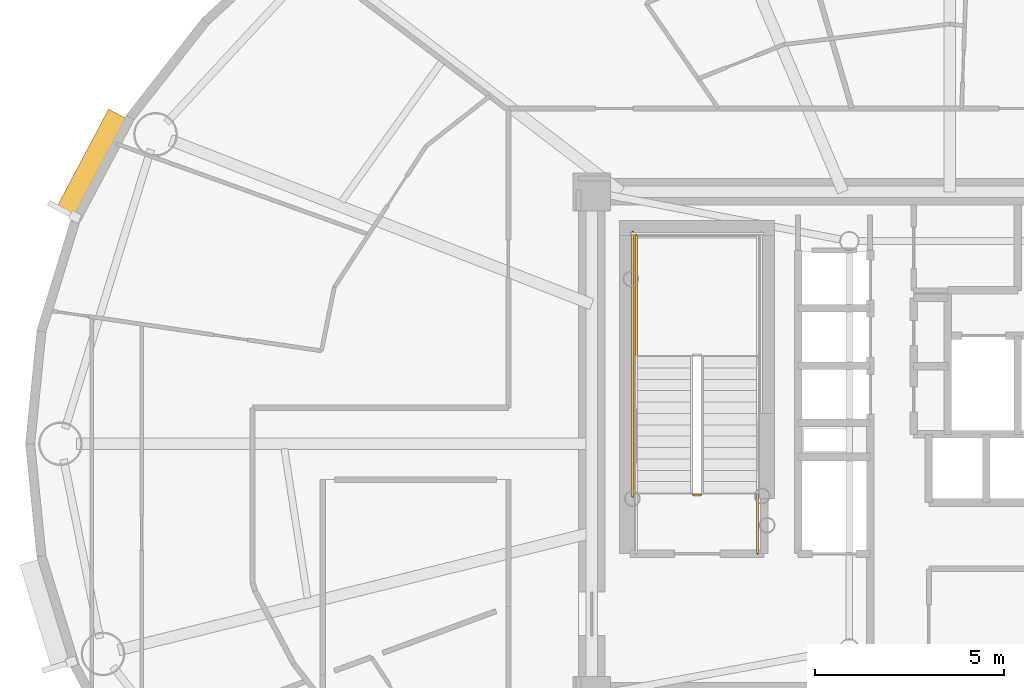
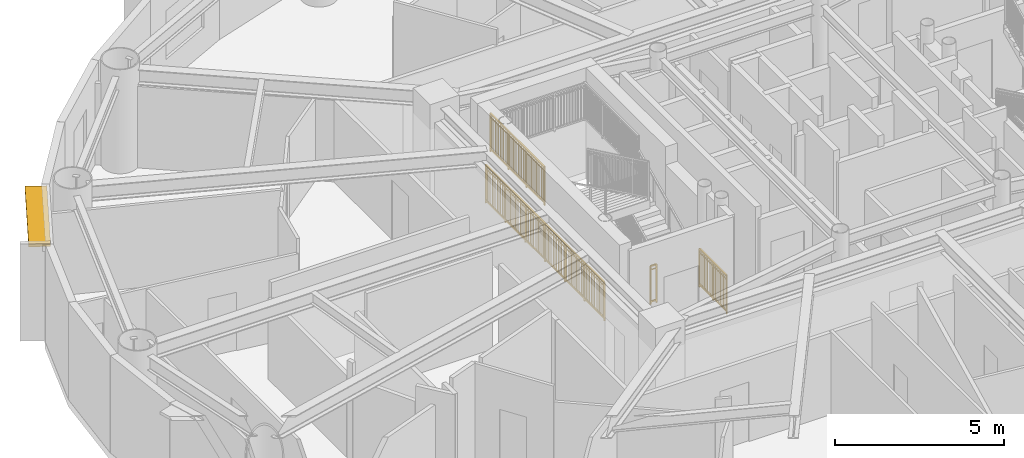
# One storey, part 14 of 20: 4 railings, 1 shading device.
"""IFC4 building model written with IfcOpenShell, lengths in metres."""

import ifcopenshell
import ifcopenshell.guid

model = None  # the IFC model being written
_history = None  # IfcOwnerHistory: only IFC2X3 demands one
_inside = {}  # id of a spatial element -> (the spatial element, [elements in it])
_under = {}  # id of a project, library or spatial element -> (it, [spatial elements below it])
_declared = {}  # id of a project -> (the project, [libraries it declares])
_typed = {}  # id of a type object -> (the type object, [elements of that type])
_made_of = {}  # id of a material, layer set ... -> (it, [elements and type objects made of it])


def new_model(schema):
    """Start an empty IFC model of exactly this schema.

    Asked for "IFC4X3", IfcOpenShell would pick the latest addendum, in which some entities
    have other attributes; the version numbers below select the first issue.
    IFC2X3 requires an IfcOwnerHistory on every rooted entity: one is made here for all.
    """
    global model, _history
    if schema == "IFC4X3":
        model = ifcopenshell.file(schema_version=(4, 3, 0, 0))
    else:
        model = ifcopenshell.file(schema=schema)
    _inside.clear()
    _under.clear()
    _declared.clear()
    _typed.clear()
    _made_of.clear()
    _history = None
    if model.schema == "IFC2X3":
        org = make("IfcOrganization", Name="unknown")
        user = make(
            "IfcPersonAndOrganization",
            ThePerson=make("IfcPerson", FamilyName="unknown"),
            TheOrganization=org,
        )
        app = make(
            "IfcApplication",
            ApplicationDeveloper=org,
            Version="unknown",
            ApplicationFullName="unknown",
            ApplicationIdentifier="unknown",
        )
        _history = make(
            "IfcOwnerHistory",
            OwningUser=user,
            OwningApplication=app,
            ChangeAction="ADDED",
            CreationDate=0,
        )
    return model


def make(cls, **values):
    """One entity of the class cls with the attributes given. An attribute that is None is left unset."""
    return model.create_entity(
        cls, **{name: value for name, value in values.items() if value is not None}
    )


def rooted(cls, **values):
    """An entity with a GlobalId (a new one), such as an element, a storey or a relation."""
    return make(cls, GlobalId=ifcopenshell.guid.new(), OwnerHistory=_history, **values)


def si_unit(unit_type, name, prefix=None):
    """IfcSIUnit, for example si_unit("LENGTHUNIT", "METRE", prefix="MILLI")."""
    return make("IfcSIUnit", UnitType=unit_type, Prefix=prefix, Name=name)


def assignment(units):
    """IfcUnitAssignment: the units of a project."""
    return None if units is None else make("IfcUnitAssignment", Units=units)


def point(xyz):
    """IfcCartesianPoint."""
    return None if xyz is None else make("IfcCartesianPoint", Coordinates=xyz)


def direction(xyz):
    """IfcDirection."""
    return None if xyz is None else make("IfcDirection", DirectionRatios=xyz)


def frame(location, z_axis=None, x_axis=None):
    """IfcAxis2Placement3D, a coordinate frame: its origin and axes. An axis left out is left unset."""
    return make(
        "IfcAxis2Placement3D",
        Location=point(location),
        Axis=direction(z_axis),
        RefDirection=direction(x_axis),
    )


def frame_2d(location, x_axis=None):
    """IfcAxis2Placement2D, a coordinate frame in the plane: its origin and x axis."""
    return make(
        "IfcAxis2Placement2D", Location=point(location), RefDirection=direction(x_axis)
    )


def origin():
    """The frame at (0, 0, 0) with its axes left unset."""
    return frame((0.0, 0.0, 0.0))


def origin_2d():
    """The frame at (0, 0) in the plane with its x axis left unset."""
    return frame_2d((0.0, 0.0))


def place(relative_to, where):
    """IfcLocalPlacement: puts the frame where relative to a parent placement (None: the world)."""
    return make(
        "IfcLocalPlacement", PlacementRelTo=relative_to, RelativePlacement=where
    )


def context(
    kind, dimensions, precision=None, world=None, true_north=None, identifier=None
):
    """IfcGeometricRepresentationContext, for example the 3D "Model" context."""
    return make(
        "IfcGeometricRepresentationContext",
        ContextIdentifier=identifier,
        ContextType=kind,
        CoordinateSpaceDimension=dimensions,
        Precision=precision,
        WorldCoordinateSystem=world,
        TrueNorth=true_north,
    )


def subcontext(parent, identifier, kind, view, scale=None):
    """IfcGeometricRepresentationSubContext, for example "Body" below "Model"."""
    return make(
        "IfcGeometricRepresentationSubContext",
        ContextIdentifier=identifier,
        ContextType=kind,
        ParentContext=parent,
        TargetScale=scale,
        TargetView=view,
    )


def project(units=None, contexts=None):
    """IfcProject with its units and contexts."""
    return rooted(
        "IfcProject",
        Name="project",
        RepresentationContexts=contexts,
        UnitsInContext=assignment(units),
    )


def spatial(cls, under=None, at=None, **own):
    """A site, building, storey or space (cls), placed at a placement, below another one or the project."""
    s = rooted(cls, ObjectPlacement=at, **own)
    if under is not None:
        _under.setdefault(under.id(), (under, []))[1].append(s)
    return s


def profile(cls, at=None, kind="AREA", **sizes):
    """A parametric profile (cls). Its sizes go by their IFC names, for example OverallWidth=200.0."""
    return make(cls, ProfileType=kind, Position=at, **sizes)


def rectangle(**sizes):
    """IfcRectangleProfileDef."""
    return profile("IfcRectangleProfileDef", **sizes)


def extrude(swept, where, along, depth):
    """IfcExtrudedAreaSolid: the profile swept, set in the frame where, extruded along a direction by depth."""
    return make(
        "IfcExtrudedAreaSolid",
        SweptArea=swept,
        Position=where,
        ExtrudedDirection=direction(along),
        Depth=depth,
    )


def shape(context_of_items, identifier, shape_type, items):
    """IfcShapeRepresentation: the items that make up one representation, for example the "Body"."""
    return make(
        "IfcShapeRepresentation",
        ContextOfItems=context_of_items,
        RepresentationIdentifier=identifier,
        RepresentationType=shape_type,
        Items=items,
    )


def source(mapping_origin, context_of_items, identifier, shape_type, items):
    """IfcRepresentationMap: a shape defined once, which mapped items show again and again."""
    return make(
        "IfcRepresentationMap",
        MappingOrigin=mapping_origin,
        MappedRepresentation=shape(context_of_items, identifier, shape_type, items),
    )


def transform(
    local_origin,
    x_axis=None,
    y_axis=None,
    z_axis=None,
    scale=None,
    scale2=None,
    scale3=None,
    uniform=True,
):
    """IfcCartesianTransformationOperator3D, or its non-uniform kind. x_axis, y_axis, z_axis: its Axis1, 2, 3."""
    if uniform:
        return make(
            "IfcCartesianTransformationOperator3D",
            Axis1=direction(x_axis),
            Axis2=direction(y_axis),
            LocalOrigin=point(local_origin),
            Scale=scale,
            Axis3=direction(z_axis),
        )
    return make(
        "IfcCartesianTransformationOperator3DnonUniform",
        Axis1=direction(x_axis),
        Axis2=direction(y_axis),
        LocalOrigin=point(local_origin),
        Scale=scale,
        Axis3=direction(z_axis),
        Scale2=scale2,
        Scale3=scale3,
    )


def mapped(mapping_source, mapping_target):
    """IfcMappedItem: shows the shape of a source again, moved by a transform."""
    return make(
        "IfcMappedItem", MappingSource=mapping_source, MappingTarget=mapping_target
    )


def material(Name=None, Category=None):
    """IfcMaterial."""
    return make("IfcMaterial", Name=Name, Category=Category)


def layer(
    of_material, thickness, ventilated=None, Name=None, Category=None, Priority=None
):
    """IfcMaterialLayer: one layer of a wall or slab, of a material (None: an air gap)."""
    return make(
        "IfcMaterialLayer",
        Material=of_material,
        LayerThickness=thickness,
        IsVentilated=ventilated,
        Name=Name,
        Category=Category,
        Priority=Priority,
    )


def layer_set(layers, Name=None):
    """IfcMaterialLayerSet."""
    return make("IfcMaterialLayerSet", MaterialLayers=layers, LayerSetName=Name)


def made_of(thing, what):
    """Note that an element or type object is made of a material, layer set ...; save() writes the relation."""
    if what is not None:
        _made_of.setdefault(what.id(), (what, []))[1].append(thing)
    return thing


def type_object(cls, material=None, **own):
    """A type object (cls), such as IfcWallType, which elements share."""
    return made_of(rooted(cls, **own), material)


def element(
    cls,
    number,
    at=None,
    inside=None,
    cuts=None,
    type_object=None,
    material=None,
    context=None,
    identifier="Body",
    shape_type=None,
    held_by="IfcProductDefinitionShape",
    body=None,
    shapes=None,
    **own,
):
    """One element of the class cls, such as IfcWall. Its Tag is "e" and its number.

    at: its placement. inside: the storey or other place that contains it. cuts: it is an
    opening in that element (IfcRelVoidsElement). A single representation is given by context,
    identifier, shape_type and body (its items); several are given by shapes. held_by: the class
    of the entity that holds the representations. save() writes the other relations.
    """
    e = rooted(cls, Tag="e%d" % number, ObjectPlacement=at, **own)
    if body is not None:
        shapes = [shape(context, identifier, shape_type, body)]
    if shapes is not None:
        e.Representation = make(held_by, Representations=shapes)
    if inside is not None:
        _inside.setdefault(inside.id(), (inside, []))[1].append(e)
    if cuts is not None:
        rooted(
            "IfcRelVoidsElement", RelatingBuildingElement=cuts, RelatedOpeningElement=e
        )
    if type_object is not None:
        _typed.setdefault(type_object.id(), (type_object, []))[1].append(e)
    return made_of(e, material)


def aggregate(whole, parts):
    """IfcRelAggregates: a whole, such as a stair, and the parts it consists of."""
    return rooted("IfcRelAggregates", RelatingObject=whole, RelatedObjects=parts)


def save(model, path):
    """Write the relations noted so far, then the file.

    IfcRelAggregates (storeys below a building ...), IfcRelContainedInSpatialStructure (elements
    in a storey), IfcRelDefinesByType, IfcRelAssociatesMaterial and IfcRelDeclares: one each for
    every whole, place, type object, material and project.
    """
    for whole, parts in _under.values():
        aggregate(whole, parts)
    for where, things in _inside.values():
        rooted(
            "IfcRelContainedInSpatialStructure",
            RelatedElements=things,
            RelatingStructure=where,
        )
    for kind, things in _typed.values():
        rooted("IfcRelDefinesByType", RelatedObjects=things, RelatingType=kind)
    for what, things in _made_of.values():
        rooted("IfcRelAssociatesMaterial", RelatedObjects=things, RelatingMaterial=what)
    for by, libraries in _declared.values():
        rooted("IfcRelDeclares", RelatingContext=by, RelatedDefinitions=libraries)
    model.write(path)


model = new_model("IFC4")

# Units and contexts
model_context = context("Model", 3, precision=1e-05, world=origin(), true_north=direction((0.0, 1.0)))
body_context = subcontext(model_context, "Body", "Model", "MODEL_VIEW")
ifc_project = project(units=[si_unit("LENGTHUNIT", "METRE"), si_unit("AREAUNIT", "SQUARE_METRE"), si_unit("VOLUMEUNIT", "CUBIC_METRE"), si_unit("PLANEANGLEUNIT", "RADIAN"), si_unit("MASSUNIT", "GRAM", prefix="KILO")], contexts=[model_context])

# Site, building, storey
site_placement = place(None, origin())
site = spatial("IfcSite", under=ifc_project, at=site_placement, CompositionType="ELEMENT")
building_placement = place(site_placement, origin())
building = spatial("IfcBuilding", under=site, at=building_placement, Name="Linh Dai School and Residence Tower", CompositionType="ELEMENT")
storey_placement = place(building_placement, frame((0.0, 0.0, 221.550048828125)))
storey = spatial("IfcBuildingStorey", under=building, at=storey_placement, Name="L54", CompositionType="ELEMENT", Elevation=221.550048828125)

# Shading device
ifc_material_1 = material(Name="Terracotta Ceramic Sunshade", Category="masonry")
ifc_layer = layer(ifc_material_1, 0.10009765625)
ifc_layer_set = layer_set([ifc_layer], Name="Terracotta Ceramic Sunshade")
shading_device_type = type_object("IfcShadingDeviceType", Name="SHD-TC-650", PredefinedType="USERDEFINED", material=ifc_layer_set)
shared_shape_1 = source(origin(), body_context, "Body", "SweptSolid", [
    extrude(rectangle(XDim=2.986083984375, YDim=0.64990234375, at=origin_2d()), origin(), (0.0, 0.0, 1.0), 0.10009765625),
])
shading_device_placement = place(storey_placement, frame((13.385009765625, 34.36376953125, 3.3798828125), z_axis=(0.0, 0.0, 1.0), x_axis=(0.467621224891, 0.883928950783, 0.0)))
element("IfcShadingDevice", 1, at=shading_device_placement, inside=storey, type_object=shading_device_type, Name="L54 Terracotta Horizontal Sunshade Band 18", ObjectType="SUNSHADE", PredefinedType="USERDEFINED", context=body_context, shape_type="MappedRepresentation", body=[
    mapped(shared_shape_1, transform((0.0, 0.0, 0.0), x_axis=(1.0, 0.0, 0.0), y_axis=(0.0, 1.0, 0.0), z_axis=(0.0, 0.0, 1.0), scale=1.0)),
])

# Railings
ifc_material_2 = material(Name="Structural Steel S355JR", Category="steel")
railing_type = type_object("IfcRailingType", Name="RL-ST-GUARD-1400", PredefinedType="GUARDRAIL", material=ifc_material_2)
shared_shape_2 = source(origin(), body_context, "Body", "SweptSolid", [
    extrude(rectangle(XDim=0.048095703125, YDim=0.048095703125, at=origin_2d()), frame((0.0, 0.0, 1.3759765625), z_axis=(-1.0, 0.0, 0.0), x_axis=(0.0, -1.0, 0.0)), (0.0, 0.0, 1.0), 0.199951171875),
    extrude(rectangle(XDim=0.048095703125, YDim=0.048095703125, at=origin_2d()), frame((0.0, 0.0, 0.10009765625), z_axis=(-1.0, 0.0, 0.0), x_axis=(0.0, -1.0, 0.0)), (0.0, 0.0, 1.0), 0.199951171875),
    extrude(rectangle(XDim=0.030029296875, YDim=0.030029296875, at=origin_2d()), frame((0.0, 0.0, 1.239990234375), z_axis=(-1.0, 0.0, 0.0), x_axis=(0.0, -1.0, 0.0)), (0.0, 0.0, 1.0), 0.199951171875),
    extrude(rectangle(XDim=0.0419921875, YDim=0.0419921875, at=origin_2d()), origin(), (0.0, 0.0, 1.0), 1.3759765625),
    extrude(rectangle(XDim=0.0419921875, YDim=0.0419921875, at=origin_2d()), frame((-0.199951171875, 0.0, 0.0)), (0.0, 0.0, 1.0), 1.3759765625),
])
railing_1_placement = place(storey_placement, frame((29.429931640625, 25.64990234375, 0.0)))
element("IfcRailing", 2, at=railing_1_placement, inside=storey, type_object=railing_type, Name="L54 ST1 stair guard 7", PredefinedType="GUARDRAIL", context=body_context, shape_type="MappedRepresentation", body=[
    mapped(shared_shape_2, transform((0.0, 0.0, 0.0), x_axis=(1.0, 0.0, 0.0), y_axis=(0.0, 1.0, 0.0), z_axis=(0.0, 0.0, 1.0), scale=1.0)),
])
shared_shape_3 = source(origin(), body_context, "Body", "SweptSolid", [
    extrude(rectangle(XDim=0.048095703125, YDim=0.048095703125, at=origin_2d()), frame((0.0, 0.0, 1.3759765625), z_axis=(0.0, 1.0, 0.0), x_axis=(-1.0, 0.0, 0.0)), (0.0, 0.0, 1.0), 1.599853515625),
    extrude(rectangle(XDim=0.048095703125, YDim=0.048095703125, at=origin_2d()), frame((0.0, 0.0, 0.10009765625), z_axis=(0.0, 1.0, 0.0), x_axis=(-1.0, 0.0, 0.0)), (0.0, 0.0, 1.0), 1.599853515625),
    extrude(rectangle(XDim=0.030029296875, YDim=0.030029296875, at=origin_2d()), frame((0.0, 0.0, 1.239990234375), z_axis=(0.0, 1.0, 0.0), x_axis=(-1.0, 0.0, 0.0)), (0.0, 0.0, 1.0), 1.599853515625),
    extrude(rectangle(XDim=0.02001953125, YDim=0.02001953125, at=origin_2d()), frame((0.0, 0.093994140625, 0.10009765625)), (0.0, 0.0, 1.0), 1.251708984375),
    extrude(rectangle(XDim=0.02001953125, YDim=0.02001953125, at=origin_2d()), frame((0.0, 0.188232421875, 0.10009765625)), (0.0, 0.0, 1.0), 1.251708984375),
    extrude(rectangle(XDim=0.02001953125, YDim=0.02001953125, at=origin_2d()), frame((0.0, 0.2822265625, 0.10009765625)), (0.0, 0.0, 1.0), 1.251708984375),
    extrude(rectangle(XDim=0.02001953125, YDim=0.02001953125, at=origin_2d()), frame((0.0, 0.37646484375, 0.10009765625)), (0.0, 0.0, 1.0), 1.251708984375),
    extrude(rectangle(XDim=0.02001953125, YDim=0.02001953125, at=origin_2d()), frame((0.0, 0.470458984375, 0.10009765625)), (0.0, 0.0, 1.0), 1.251708984375),
    extrude(rectangle(XDim=0.02001953125, YDim=0.02001953125, at=origin_2d()), frame((0.0, 0.564697265625, 0.10009765625)), (0.0, 0.0, 1.0), 1.251708984375),
    extrude(rectangle(XDim=0.02001953125, YDim=0.02001953125, at=origin_2d()), frame((0.0, 0.65869140625, 0.10009765625)), (0.0, 0.0, 1.0), 1.251708984375),
    extrude(rectangle(XDim=0.02001953125, YDim=0.02001953125, at=origin_2d()), frame((0.0, 0.7529296875, 0.10009765625)), (0.0, 0.0, 1.0), 1.251708984375),
    extrude(rectangle(XDim=0.02001953125, YDim=0.02001953125, at=origin_2d()), frame((0.0, 0.846923828125, 0.10009765625)), (0.0, 0.0, 1.0), 1.251708984375),
    extrude(rectangle(XDim=0.02001953125, YDim=0.02001953125, at=origin_2d()), frame((0.0, 0.941162109375, 0.10009765625)), (0.0, 0.0, 1.0), 1.251708984375),
    extrude(rectangle(XDim=0.02001953125, YDim=0.02001953125, at=origin_2d()), frame((0.0, 1.03515625, 0.10009765625)), (0.0, 0.0, 1.0), 1.251708984375),
    extrude(rectangle(XDim=0.02001953125, YDim=0.02001953125, at=origin_2d()), frame((0.0, 1.12939453125, 0.10009765625)), (0.0, 0.0, 1.0), 1.251708984375),
    extrude(rectangle(XDim=0.02001953125, YDim=0.02001953125, at=origin_2d()), frame((0.0, 1.223388671875, 0.10009765625)), (0.0, 0.0, 1.0), 1.251708984375),
    extrude(rectangle(XDim=0.02001953125, YDim=0.02001953125, at=origin_2d()), frame((0.0, 1.317626953125, 0.10009765625)), (0.0, 0.0, 1.0), 1.251708984375),
    extrude(rectangle(XDim=0.02001953125, YDim=0.02001953125, at=origin_2d()), frame((0.0, 1.41162109375, 0.10009765625)), (0.0, 0.0, 1.0), 1.251708984375),
    extrude(rectangle(XDim=0.02001953125, YDim=0.02001953125, at=origin_2d()), frame((0.0, 1.505859375, 0.10009765625)), (0.0, 0.0, 1.0), 1.251708984375),
    extrude(rectangle(XDim=0.0419921875, YDim=0.0419921875, at=origin_2d()), origin(), (0.0, 0.0, 1.0), 1.3759765625),
    extrude(rectangle(XDim=0.0419921875, YDim=0.0419921875, at=origin_2d()), frame((0.0, 0.7998046875, 0.0)), (0.0, 0.0, 1.0), 1.3759765625),
    extrude(rectangle(XDim=0.0419921875, YDim=0.0419921875, at=origin_2d()), frame((0.0, 1.599853515625, 0.0)), (0.0, 0.0, 1.0), 1.3759765625),
])
railing_2_placement = place(storey_placement, frame((30.929931640625, 24.10009765625, 0.0)))
element("IfcRailing", 3, at=railing_2_placement, inside=storey, type_object=railing_type, Name="L54 ST1 stair guard 8", PredefinedType="GUARDRAIL", context=body_context, shape_type="MappedRepresentation", body=[
    mapped(shared_shape_3, transform((0.0, 0.0, 0.0), x_axis=(1.0, 0.0, 0.0), y_axis=(0.0, 1.0, 0.0), z_axis=(0.0, 0.0, 1.0), scale=1.0)),
])
shared_shape_4 = source(origin(), body_context, "Body", "SweptSolid", [
    extrude(rectangle(XDim=0.048095703125, YDim=0.048095703125, at=origin_2d()), frame((0.0, 0.0, 1.3759765625), z_axis=(0.0, 1.0, 0.0), x_axis=(-1.0, 0.0, 0.0)), (0.0, 0.0, 1.0), 7.0),
    extrude(rectangle(XDim=0.048095703125, YDim=0.048095703125, at=origin_2d()), frame((0.0, 0.0, 0.10009765625), z_axis=(0.0, 1.0, 0.0), x_axis=(-1.0, 0.0, 0.0)), (0.0, 0.0, 1.0), 7.0),
    extrude(rectangle(XDim=0.030029296875, YDim=0.030029296875, at=origin_2d()), frame((0.0, 0.0, 1.239990234375), z_axis=(0.0, 1.0, 0.0), x_axis=(-1.0, 0.0, 0.0)), (0.0, 0.0, 1.0), 7.0),
    extrude(rectangle(XDim=0.02001953125, YDim=0.02001953125, at=origin_2d()), frame((0.0, 0.09716796875, 0.10009765625)), (0.0, 0.0, 1.0), 1.251708984375),
    extrude(rectangle(XDim=0.02001953125, YDim=0.02001953125, at=origin_2d()), frame((0.0, 0.1943359375, 0.10009765625)), (0.0, 0.0, 1.0), 1.251708984375),
    extrude(rectangle(XDim=0.02001953125, YDim=0.02001953125, at=origin_2d()), frame((0.0, 0.291748046875, 0.10009765625)), (0.0, 0.0, 1.0), 1.251708984375),
    extrude(rectangle(XDim=0.02001953125, YDim=0.02001953125, at=origin_2d()), frame((0.0, 0.388916015625, 0.10009765625)), (0.0, 0.0, 1.0), 1.251708984375),
    extrude(rectangle(XDim=0.02001953125, YDim=0.02001953125, at=origin_2d()), frame((0.0, 0.486083984375, 0.10009765625)), (0.0, 0.0, 1.0), 1.251708984375),
    extrude(rectangle(XDim=0.02001953125, YDim=0.02001953125, at=origin_2d()), frame((0.0, 0.583251953125, 0.10009765625)), (0.0, 0.0, 1.0), 1.251708984375),
    extrude(rectangle(XDim=0.02001953125, YDim=0.02001953125, at=origin_2d()), frame((0.0, 0.6806640625, 0.10009765625)), (0.0, 0.0, 1.0), 1.251708984375),
    extrude(rectangle(XDim=0.02001953125, YDim=0.02001953125, at=origin_2d()), frame((0.0, 0.77783203125, 0.10009765625)), (0.0, 0.0, 1.0), 1.251708984375),
    extrude(rectangle(XDim=0.02001953125, YDim=0.02001953125, at=origin_2d()), frame((0.0, 0.875, 0.10009765625)), (0.0, 0.0, 1.0), 1.251708984375),
    extrude(rectangle(XDim=0.02001953125, YDim=0.02001953125, at=origin_2d()), frame((0.0, 0.97216796875, 0.10009765625)), (0.0, 0.0, 1.0), 1.251708984375),
    extrude(rectangle(XDim=0.02001953125, YDim=0.02001953125, at=origin_2d()), frame((0.0, 1.0693359375, 0.10009765625)), (0.0, 0.0, 1.0), 1.251708984375),
    extrude(rectangle(XDim=0.02001953125, YDim=0.02001953125, at=origin_2d()), frame((0.0, 1.263916015625, 0.10009765625)), (0.0, 0.0, 1.0), 1.251708984375),
    extrude(rectangle(XDim=0.02001953125, YDim=0.02001953125, at=origin_2d()), frame((0.0, 1.361083984375, 0.10009765625)), (0.0, 0.0, 1.0), 1.251708984375),
    extrude(rectangle(XDim=0.02001953125, YDim=0.02001953125, at=origin_2d()), frame((0.0, 1.458251953125, 0.10009765625)), (0.0, 0.0, 1.0), 1.251708984375),
    extrude(rectangle(XDim=0.02001953125, YDim=0.02001953125, at=origin_2d()), frame((0.0, 1.5556640625, 0.10009765625)), (0.0, 0.0, 1.0), 1.251708984375),
    extrude(rectangle(XDim=0.02001953125, YDim=0.02001953125, at=origin_2d()), frame((0.0, 1.65283203125, 0.10009765625)), (0.0, 0.0, 1.0), 1.251708984375),
    extrude(rectangle(XDim=0.02001953125, YDim=0.02001953125, at=origin_2d()), frame((0.0, 1.75, 0.10009765625)), (0.0, 0.0, 1.0), 1.251708984375),
    extrude(rectangle(XDim=0.02001953125, YDim=0.02001953125, at=origin_2d()), frame((0.0, 1.84716796875, 0.10009765625)), (0.0, 0.0, 1.0), 1.251708984375),
    extrude(rectangle(XDim=0.02001953125, YDim=0.02001953125, at=origin_2d()), frame((0.0, 1.9443359375, 0.10009765625)), (0.0, 0.0, 1.0), 1.251708984375),
    extrude(rectangle(XDim=0.02001953125, YDim=0.02001953125, at=origin_2d()), frame((0.0, 2.041748046875, 0.10009765625)), (0.0, 0.0, 1.0), 1.251708984375),
    extrude(rectangle(XDim=0.02001953125, YDim=0.02001953125, at=origin_2d()), frame((0.0, 2.138916015625, 0.10009765625)), (0.0, 0.0, 1.0), 1.251708984375),
    extrude(rectangle(XDim=0.02001953125, YDim=0.02001953125, at=origin_2d()), frame((0.0, 2.236083984375, 0.10009765625)), (0.0, 0.0, 1.0), 1.251708984375),
    extrude(rectangle(XDim=0.02001953125, YDim=0.02001953125, at=origin_2d()), frame((0.0, 2.4306640625, 0.10009765625)), (0.0, 0.0, 1.0), 1.251708984375),
    extrude(rectangle(XDim=0.02001953125, YDim=0.02001953125, at=origin_2d()), frame((0.0, 2.52783203125, 0.10009765625)), (0.0, 0.0, 1.0), 1.251708984375),
    extrude(rectangle(XDim=0.02001953125, YDim=0.02001953125, at=origin_2d()), frame((0.0, 2.625, 0.10009765625)), (0.0, 0.0, 1.0), 1.251708984375),
    extrude(rectangle(XDim=0.02001953125, YDim=0.02001953125, at=origin_2d()), frame((0.0, 2.72216796875, 0.10009765625)), (0.0, 0.0, 1.0), 1.251708984375),
    extrude(rectangle(XDim=0.02001953125, YDim=0.02001953125, at=origin_2d()), frame((0.0, 2.8193359375, 0.10009765625)), (0.0, 0.0, 1.0), 1.251708984375),
    extrude(rectangle(XDim=0.02001953125, YDim=0.02001953125, at=origin_2d()), frame((0.0, 2.916748046875, 0.10009765625)), (0.0, 0.0, 1.0), 1.251708984375),
    extrude(rectangle(XDim=0.02001953125, YDim=0.02001953125, at=origin_2d()), frame((0.0, 3.013916015625, 0.10009765625)), (0.0, 0.0, 1.0), 1.251708984375),
    extrude(rectangle(XDim=0.02001953125, YDim=0.02001953125, at=origin_2d()), frame((0.0, 3.111083984375, 0.10009765625)), (0.0, 0.0, 1.0), 1.251708984375),
    extrude(rectangle(XDim=0.02001953125, YDim=0.02001953125, at=origin_2d()), frame((0.0, 3.208251953125, 0.10009765625)), (0.0, 0.0, 1.0), 1.251708984375),
    extrude(rectangle(XDim=0.02001953125, YDim=0.02001953125, at=origin_2d()), frame((0.0, 3.3056640625, 0.10009765625)), (0.0, 0.0, 1.0), 1.251708984375),
    extrude(rectangle(XDim=0.02001953125, YDim=0.02001953125, at=origin_2d()), frame((0.0, 3.40283203125, 0.10009765625)), (0.0, 0.0, 1.0), 1.251708984375),
    extrude(rectangle(XDim=0.02001953125, YDim=0.02001953125, at=origin_2d()), frame((0.0, 3.59716796875, 0.10009765625)), (0.0, 0.0, 1.0), 1.251708984375),
    extrude(rectangle(XDim=0.02001953125, YDim=0.02001953125, at=origin_2d()), frame((0.0, 3.6943359375, 0.10009765625)), (0.0, 0.0, 1.0), 1.251708984375),
    extrude(rectangle(XDim=0.02001953125, YDim=0.02001953125, at=origin_2d()), frame((0.0, 3.791748046875, 0.10009765625)), (0.0, 0.0, 1.0), 1.251708984375),
    extrude(rectangle(XDim=0.02001953125, YDim=0.02001953125, at=origin_2d()), frame((0.0, 3.888916015625, 0.10009765625)), (0.0, 0.0, 1.0), 1.251708984375),
    extrude(rectangle(XDim=0.02001953125, YDim=0.02001953125, at=origin_2d()), frame((0.0, 3.986083984375, 0.10009765625)), (0.0, 0.0, 1.0), 1.251708984375),
    extrude(rectangle(XDim=0.02001953125, YDim=0.02001953125, at=origin_2d()), frame((0.0, 4.083251953125, 0.10009765625)), (0.0, 0.0, 1.0), 1.251708984375),
    extrude(rectangle(XDim=0.02001953125, YDim=0.02001953125, at=origin_2d()), frame((0.0, 4.1806640625, 0.10009765625)), (0.0, 0.0, 1.0), 1.251708984375),
    extrude(rectangle(XDim=0.02001953125, YDim=0.02001953125, at=origin_2d()), frame((0.0, 4.27783203125, 0.10009765625)), (0.0, 0.0, 1.0), 1.251708984375),
    extrude(rectangle(XDim=0.02001953125, YDim=0.02001953125, at=origin_2d()), frame((0.0, 4.375, 0.10009765625)), (0.0, 0.0, 1.0), 1.251708984375),
    extrude(rectangle(XDim=0.02001953125, YDim=0.02001953125, at=origin_2d()), frame((0.0, 4.47216796875, 0.10009765625)), (0.0, 0.0, 1.0), 1.251708984375),
    extrude(rectangle(XDim=0.02001953125, YDim=0.02001953125, at=origin_2d()), frame((0.0, 4.5693359375, 0.10009765625)), (0.0, 0.0, 1.0), 1.251708984375),
    extrude(rectangle(XDim=0.02001953125, YDim=0.02001953125, at=origin_2d()), frame((0.0, 4.763916015625, 0.10009765625)), (0.0, 0.0, 1.0), 1.251708984375),
    extrude(rectangle(XDim=0.02001953125, YDim=0.02001953125, at=origin_2d()), frame((0.0, 4.861083984375, 0.10009765625)), (0.0, 0.0, 1.0), 1.251708984375),
    extrude(rectangle(XDim=0.02001953125, YDim=0.02001953125, at=origin_2d()), frame((0.0, 4.958251953125, 0.10009765625)), (0.0, 0.0, 1.0), 1.251708984375),
    extrude(rectangle(XDim=0.02001953125, YDim=0.02001953125, at=origin_2d()), frame((0.0, 5.0556640625, 0.10009765625)), (0.0, 0.0, 1.0), 1.251708984375),
    extrude(rectangle(XDim=0.02001953125, YDim=0.02001953125, at=origin_2d()), frame((0.0, 5.15283203125, 0.10009765625)), (0.0, 0.0, 1.0), 1.251708984375),
    extrude(rectangle(XDim=0.02001953125, YDim=0.02001953125, at=origin_2d()), frame((0.0, 5.25, 0.10009765625)), (0.0, 0.0, 1.0), 1.251708984375),
    extrude(rectangle(XDim=0.02001953125, YDim=0.02001953125, at=origin_2d()), frame((0.0, 5.34716796875, 0.10009765625)), (0.0, 0.0, 1.0), 1.251708984375),
    extrude(rectangle(XDim=0.02001953125, YDim=0.02001953125, at=origin_2d()), frame((0.0, 5.4443359375, 0.10009765625)), (0.0, 0.0, 1.0), 1.251708984375),
    extrude(rectangle(XDim=0.02001953125, YDim=0.02001953125, at=origin_2d()), frame((0.0, 5.541748046875, 0.10009765625)), (0.0, 0.0, 1.0), 1.251708984375),
    extrude(rectangle(XDim=0.02001953125, YDim=0.02001953125, at=origin_2d()), frame((0.0, 5.638916015625, 0.10009765625)), (0.0, 0.0, 1.0), 1.251708984375),
    extrude(rectangle(XDim=0.02001953125, YDim=0.02001953125, at=origin_2d()), frame((0.0, 5.736083984375, 0.10009765625)), (0.0, 0.0, 1.0), 1.251708984375),
    extrude(rectangle(XDim=0.02001953125, YDim=0.02001953125, at=origin_2d()), frame((0.0, 5.9306640625, 0.10009765625)), (0.0, 0.0, 1.0), 1.251708984375),
    extrude(rectangle(XDim=0.02001953125, YDim=0.02001953125, at=origin_2d()), frame((0.0, 6.02783203125, 0.10009765625)), (0.0, 0.0, 1.0), 1.251708984375),
    extrude(rectangle(XDim=0.02001953125, YDim=0.02001953125, at=origin_2d()), frame((0.0, 6.125, 0.10009765625)), (0.0, 0.0, 1.0), 1.251708984375),
    extrude(rectangle(XDim=0.02001953125, YDim=0.02001953125, at=origin_2d()), frame((0.0, 6.22216796875, 0.10009765625)), (0.0, 0.0, 1.0), 1.251708984375),
    extrude(rectangle(XDim=0.02001953125, YDim=0.02001953125, at=origin_2d()), frame((0.0, 6.3193359375, 0.10009765625)), (0.0, 0.0, 1.0), 1.251708984375),
    extrude(rectangle(XDim=0.02001953125, YDim=0.02001953125, at=origin_2d()), frame((0.0, 6.416748046875, 0.10009765625)), (0.0, 0.0, 1.0), 1.251708984375),
    extrude(rectangle(XDim=0.02001953125, YDim=0.02001953125, at=origin_2d()), frame((0.0, 6.513916015625, 0.10009765625)), (0.0, 0.0, 1.0), 1.251708984375),
    extrude(rectangle(XDim=0.02001953125, YDim=0.02001953125, at=origin_2d()), frame((0.0, 6.611083984375, 0.10009765625)), (0.0, 0.0, 1.0), 1.251708984375),
    extrude(rectangle(XDim=0.02001953125, YDim=0.02001953125, at=origin_2d()), frame((0.0, 6.708251953125, 0.10009765625)), (0.0, 0.0, 1.0), 1.251708984375),
    extrude(rectangle(XDim=0.02001953125, YDim=0.02001953125, at=origin_2d()), frame((0.0, 6.8056640625, 0.10009765625)), (0.0, 0.0, 1.0), 1.251708984375),
    extrude(rectangle(XDim=0.02001953125, YDim=0.02001953125, at=origin_2d()), frame((0.0, 6.90283203125, 0.10009765625)), (0.0, 0.0, 1.0), 1.251708984375),
    extrude(rectangle(XDim=0.0419921875, YDim=0.0419921875, at=origin_2d()), origin(), (0.0, 0.0, 1.0), 1.3759765625),
    extrude(rectangle(XDim=0.0419921875, YDim=0.0419921875, at=origin_2d()), frame((0.0, 1.166748046875, 0.0)), (0.0, 0.0, 1.0), 1.3759765625),
    extrude(rectangle(XDim=0.0419921875, YDim=0.0419921875, at=origin_2d()), frame((0.0, 2.333251953125, 0.0)), (0.0, 0.0, 1.0), 1.3759765625),
    extrude(rectangle(XDim=0.0419921875, YDim=0.0419921875, at=origin_2d()), frame((0.0, 3.5, 0.0)), (0.0, 0.0, 1.0), 1.3759765625),
    extrude(rectangle(XDim=0.0419921875, YDim=0.0419921875, at=origin_2d()), frame((0.0, 4.666748046875, 0.0)), (0.0, 0.0, 1.0), 1.3759765625),
    extrude(rectangle(XDim=0.0419921875, YDim=0.0419921875, at=origin_2d()), frame((0.0, 5.833251953125, 0.0)), (0.0, 0.0, 1.0), 1.3759765625),
    extrude(rectangle(XDim=0.0419921875, YDim=0.0419921875, at=origin_2d()), frame((0.0, 7.0, 0.0)), (0.0, 0.0, 1.0), 1.3759765625),
])
railing_3_placement = place(storey_placement, frame((27.6298828125, 25.60009765625, 0.0)))
element("IfcRailing", 4, at=railing_3_placement, inside=storey, type_object=railing_type, Name="L54 ST1 stair guard 11", PredefinedType="GUARDRAIL", context=body_context, shape_type="MappedRepresentation", body=[
    mapped(shared_shape_4, transform((0.0, 0.0, 0.0), x_axis=(1.0, 0.0, 0.0), y_axis=(0.0, 1.0, 0.0), z_axis=(0.0, 0.0, 1.0), scale=1.0)),
])
shared_shape_5 = source(origin(), body_context, "Body", "SweptSolid", [
    extrude(rectangle(XDim=0.048095703125, YDim=0.048095703125, at=origin_2d()), frame((0.0, 0.0, 1.3759765625), z_axis=(0.0, 1.0, 0.0), x_axis=(-1.0, 0.0, 0.0)), (0.0, 0.0, 1.0), 3.199951171875),
    extrude(rectangle(XDim=0.048095703125, YDim=0.048095703125, at=origin_2d()), frame((0.0, 0.0, 0.10009765625), z_axis=(0.0, 1.0, 0.0), x_axis=(-1.0, 0.0, 0.0)), (0.0, 0.0, 1.0), 3.199951171875),
    extrude(rectangle(XDim=0.030029296875, YDim=0.030029296875, at=origin_2d()), frame((0.0, 0.0, 1.239990234375), z_axis=(0.0, 1.0, 0.0), x_axis=(-1.0, 0.0, 0.0)), (0.0, 0.0, 1.0), 3.199951171875),
    extrude(rectangle(XDim=0.02001953125, YDim=0.02001953125, at=origin_2d()), frame((0.0, 0.096923828125, 0.10009765625)), (0.0, 0.0, 1.0), 1.251708984375),
    extrude(rectangle(XDim=0.02001953125, YDim=0.02001953125, at=origin_2d()), frame((0.0, 0.19384765625, 0.10009765625)), (0.0, 0.0, 1.0), 1.251708984375),
    extrude(rectangle(XDim=0.02001953125, YDim=0.02001953125, at=origin_2d()), frame((0.0, 0.291015625, 0.10009765625)), (0.0, 0.0, 1.0), 1.251708984375),
    extrude(rectangle(XDim=0.02001953125, YDim=0.02001953125, at=origin_2d()), frame((0.0, 0.387939453125, 0.10009765625)), (0.0, 0.0, 1.0), 1.251708984375),
    extrude(rectangle(XDim=0.02001953125, YDim=0.02001953125, at=origin_2d()), frame((0.0, 0.48486328125, 0.10009765625)), (0.0, 0.0, 1.0), 1.251708984375),
    extrude(rectangle(XDim=0.02001953125, YDim=0.02001953125, at=origin_2d()), frame((0.0, 0.581787109375, 0.10009765625)), (0.0, 0.0, 1.0), 1.251708984375),
    extrude(rectangle(XDim=0.02001953125, YDim=0.02001953125, at=origin_2d()), frame((0.0, 0.6787109375, 0.10009765625)), (0.0, 0.0, 1.0), 1.251708984375),
    extrude(rectangle(XDim=0.02001953125, YDim=0.02001953125, at=origin_2d()), frame((0.0, 0.775634765625, 0.10009765625)), (0.0, 0.0, 1.0), 1.251708984375),
    extrude(rectangle(XDim=0.02001953125, YDim=0.02001953125, at=origin_2d()), frame((0.0, 0.872802734375, 0.10009765625)), (0.0, 0.0, 1.0), 1.251708984375),
    extrude(rectangle(XDim=0.02001953125, YDim=0.02001953125, at=origin_2d()), frame((0.0, 0.9697265625, 0.10009765625)), (0.0, 0.0, 1.0), 1.251708984375),
    extrude(rectangle(XDim=0.02001953125, YDim=0.02001953125, at=origin_2d()), frame((0.0, 1.16357421875, 0.10009765625)), (0.0, 0.0, 1.0), 1.251708984375),
    extrude(rectangle(XDim=0.02001953125, YDim=0.02001953125, at=origin_2d()), frame((0.0, 1.260498046875, 0.10009765625)), (0.0, 0.0, 1.0), 1.251708984375),
    extrude(rectangle(XDim=0.02001953125, YDim=0.02001953125, at=origin_2d()), frame((0.0, 1.357666015625, 0.10009765625)), (0.0, 0.0, 1.0), 1.251708984375),
    extrude(rectangle(XDim=0.02001953125, YDim=0.02001953125, at=origin_2d()), frame((0.0, 1.45458984375, 0.10009765625)), (0.0, 0.0, 1.0), 1.251708984375),
    extrude(rectangle(XDim=0.02001953125, YDim=0.02001953125, at=origin_2d()), frame((0.0, 1.551513671875, 0.10009765625)), (0.0, 0.0, 1.0), 1.251708984375),
    extrude(rectangle(XDim=0.02001953125, YDim=0.02001953125, at=origin_2d()), frame((0.0, 1.6484375, 0.10009765625)), (0.0, 0.0, 1.0), 1.251708984375),
    extrude(rectangle(XDim=0.02001953125, YDim=0.02001953125, at=origin_2d()), frame((0.0, 1.745361328125, 0.10009765625)), (0.0, 0.0, 1.0), 1.251708984375),
    extrude(rectangle(XDim=0.02001953125, YDim=0.02001953125, at=origin_2d()), frame((0.0, 1.84228515625, 0.10009765625)), (0.0, 0.0, 1.0), 1.251708984375),
    extrude(rectangle(XDim=0.02001953125, YDim=0.02001953125, at=origin_2d()), frame((0.0, 1.939453125, 0.10009765625)), (0.0, 0.0, 1.0), 1.251708984375),
    extrude(rectangle(XDim=0.02001953125, YDim=0.02001953125, at=origin_2d()), frame((0.0, 2.036376953125, 0.10009765625)), (0.0, 0.0, 1.0), 1.251708984375),
    extrude(rectangle(XDim=0.02001953125, YDim=0.02001953125, at=origin_2d()), frame((0.0, 2.230224609375, 0.10009765625)), (0.0, 0.0, 1.0), 1.251708984375),
    extrude(rectangle(XDim=0.02001953125, YDim=0.02001953125, at=origin_2d()), frame((0.0, 2.3271484375, 0.10009765625)), (0.0, 0.0, 1.0), 1.251708984375),
    extrude(rectangle(XDim=0.02001953125, YDim=0.02001953125, at=origin_2d()), frame((0.0, 2.42431640625, 0.10009765625)), (0.0, 0.0, 1.0), 1.251708984375),
    extrude(rectangle(XDim=0.02001953125, YDim=0.02001953125, at=origin_2d()), frame((0.0, 2.521240234375, 0.10009765625)), (0.0, 0.0, 1.0), 1.251708984375),
    extrude(rectangle(XDim=0.02001953125, YDim=0.02001953125, at=origin_2d()), frame((0.0, 2.6181640625, 0.10009765625)), (0.0, 0.0, 1.0), 1.251708984375),
    extrude(rectangle(XDim=0.02001953125, YDim=0.02001953125, at=origin_2d()), frame((0.0, 2.715087890625, 0.10009765625)), (0.0, 0.0, 1.0), 1.251708984375),
    extrude(rectangle(XDim=0.02001953125, YDim=0.02001953125, at=origin_2d()), frame((0.0, 2.81201171875, 0.10009765625)), (0.0, 0.0, 1.0), 1.251708984375),
    extrude(rectangle(XDim=0.02001953125, YDim=0.02001953125, at=origin_2d()), frame((0.0, 2.908935546875, 0.10009765625)), (0.0, 0.0, 1.0), 1.251708984375),
    extrude(rectangle(XDim=0.02001953125, YDim=0.02001953125, at=origin_2d()), frame((0.0, 3.006103515625, 0.10009765625)), (0.0, 0.0, 1.0), 1.251708984375),
    extrude(rectangle(XDim=0.02001953125, YDim=0.02001953125, at=origin_2d()), frame((0.0, 3.10302734375, 0.10009765625)), (0.0, 0.0, 1.0), 1.251708984375),
    extrude(rectangle(XDim=0.0419921875, YDim=0.0419921875, at=origin_2d()), origin(), (0.0, 0.0, 1.0), 1.3759765625),
    extrude(rectangle(XDim=0.0419921875, YDim=0.0419921875, at=origin_2d()), frame((0.0, 1.066650390625, 0.0)), (0.0, 0.0, 1.0), 1.3759765625),
    extrude(rectangle(XDim=0.0419921875, YDim=0.0419921875, at=origin_2d()), frame((0.0, 2.13330078125, 0.0)), (0.0, 0.0, 1.0), 1.3759765625),
    extrude(rectangle(XDim=0.0419921875, YDim=0.0419921875, at=origin_2d()), frame((0.0, 3.199951171875, 0.0)), (0.0, 0.0, 1.0), 1.3759765625),
])
railing_4_placement = place(storey_placement, frame((27.72998046875, 29.300048828125, 1.875)))
element("IfcRailing", 5, at=railing_4_placement, inside=storey, type_object=railing_type, Name="L54 ST1 stair guard 4", PredefinedType="GUARDRAIL", context=body_context, shape_type="MappedRepresentation", body=[
    mapped(shared_shape_5, transform((0.0, 0.0, 0.0), x_axis=(1.0, 0.0, 0.0), y_axis=(0.0, 1.0, 0.0), z_axis=(0.0, 0.0, 1.0), scale=1.0)),
])

save(model, "model.ifc")
